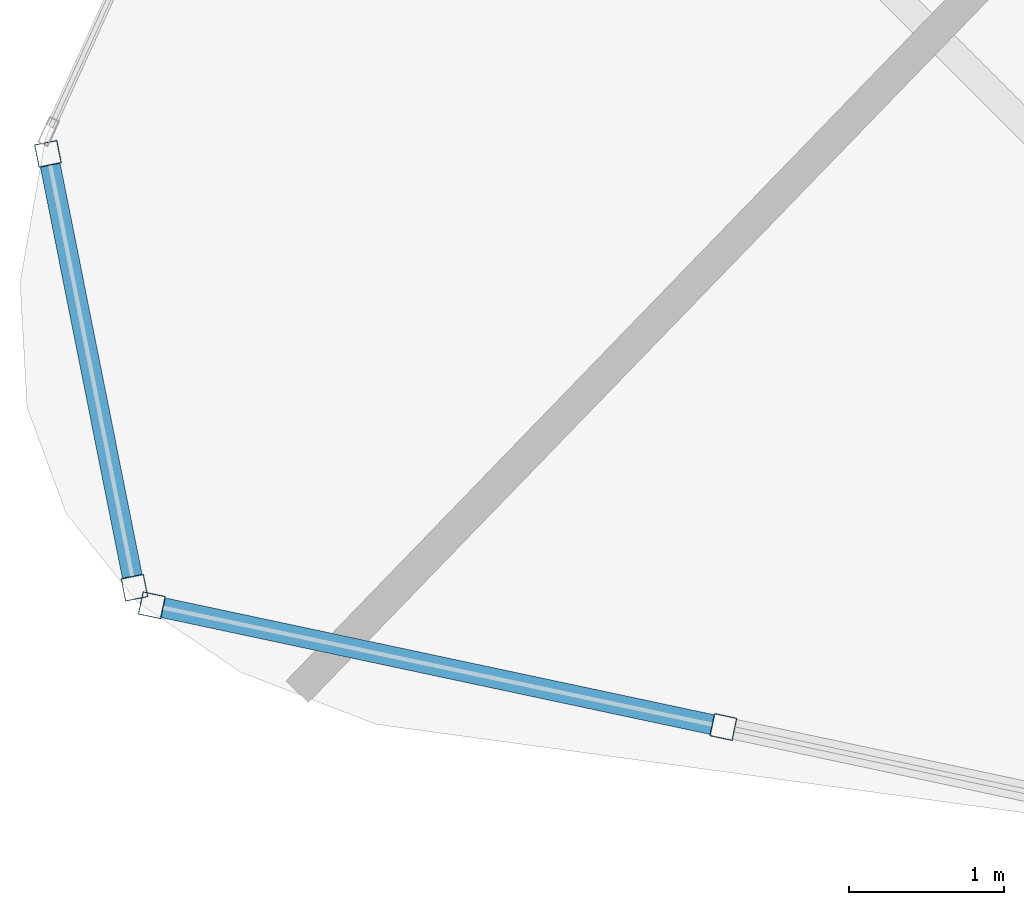
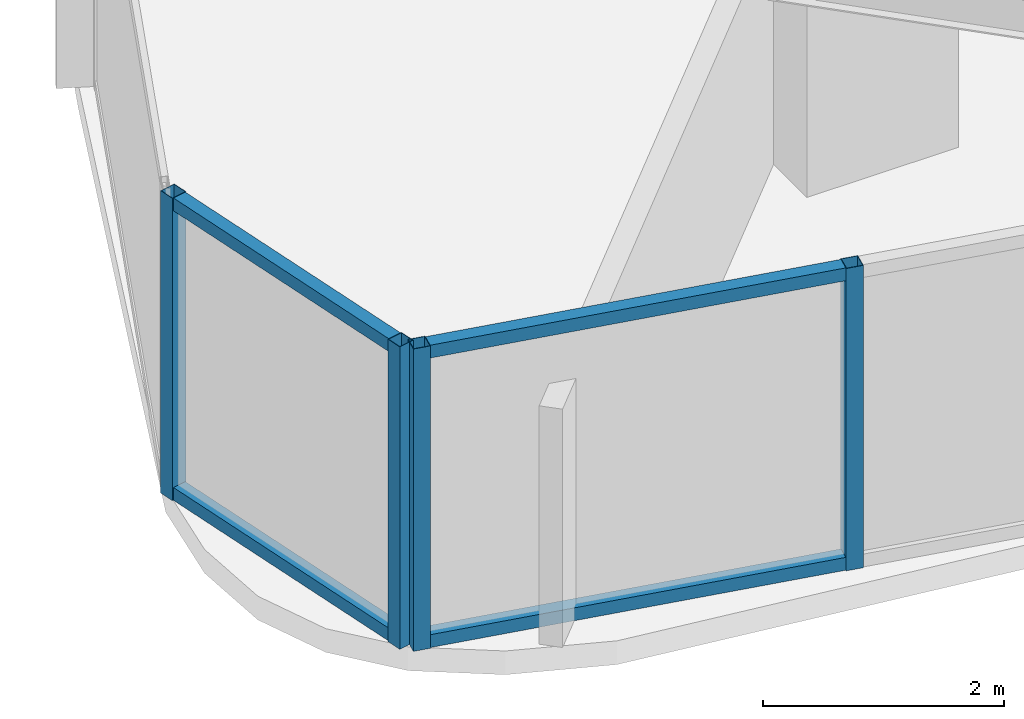
# One storey, part 2 of 31: 8 members, 2 elements without a shape of their own.
"""IFC4 building model written with IfcOpenShell, lengths in metres."""

from ifc_helpers import new_model, si_unit, direction, frame, origin, origin_2d, place, context, subcontext, project, spatial, hollow_rectangle, extrude, material, layer, layer_set, material_profile, profile_set, type_object, element, aggregate, save


model = new_model("IFC4")

# Units and contexts
model_context = context("Model", 3, precision=1e-05, world=origin(), true_north=direction((0.0, 1.0)))
body_context = subcontext(model_context, "Body", "Model", "MODEL_VIEW")
ifc_project = project(units=[si_unit("LENGTHUNIT", "METRE"), si_unit("AREAUNIT", "SQUARE_METRE"), si_unit("VOLUMEUNIT", "CUBIC_METRE"), si_unit("PLANEANGLEUNIT", "RADIAN"), si_unit("MASSUNIT", "GRAM", prefix="KILO")], contexts=[model_context])

# Site, building, storey
site_placement = place(None, origin())
site = spatial("IfcSite", under=ifc_project, at=site_placement, CompositionType="ELEMENT")
building_placement = place(site_placement, origin())
building = spatial("IfcBuilding", under=site, at=building_placement, Name="Orvanel Arch Residences", CompositionType="ELEMENT")
storey_placement = place(building_placement, frame((0.0, 0.0, 113.300048828125)))
storey = spatial("IfcBuildingStorey", under=building, at=storey_placement, Name="L31", CompositionType="ELEMENT", Elevation=113.300048828125)

# Curtain wall, members
ifc_material = material(Name="Bronze-anodised aluminium AA6063-T6", Category="aluminium")
ifc_layer = layer(ifc_material, 0.18994140625)
ifc_layer_set = layer_set([ifc_layer], Name="Bronze-anodised aluminium AA6063-T6")
curtain_wall_type = type_object("IfcCurtainWallType", Name="CW5-CRN-SYS", PredefinedType="NOTDEFINED", material=ifc_layer_set)
curtain_wall_1_placement = place(storey_placement, origin())
curtain_wall_1 = element("IfcCurtainWall", 1, at=curtain_wall_1_placement, inside=storey, type_object=curtain_wall_type, Name="L31 CW5-CRN-SYS Unitised Curtain Wall", PredefinedType="NOTDEFINED")
ifc_material_profile_1 = material_profile(ifc_material, hollow_rectangle(XDim=0.14990234375, YDim=0.14990234375, WallThickness=0.0048828125, at=origin_2d()), Name="ALU150x150x5")
ifc_profile_set_1 = profile_set([ifc_material_profile_1], Name="Bronze-anodised aluminium AA6063-T6")
member_type_1 = type_object("IfcMemberType", Name="MUL-150x150", PredefinedType="MULLION", material=ifc_profile_set_1)
member_1_placement = place(storey_placement, frame((6.78564453125, 8.54736328125, 0.0), z_axis=(0.0, 0.0, 1.0), x_axis=(0.980695620898, 0.195540530712, 0.0)))
member_1 = element("IfcMember", 2, at=member_1_placement, type_object=member_type_1, Name="CW-S5 mullion 1", PredefinedType="MULLION", context=body_context, shape_type="SweptSolid", body=[
    extrude(hollow_rectangle(XDim=0.14990234375, YDim=0.14990234375, WallThickness=0.0048828125, at=origin_2d()), origin(), (0.0, 0.0, 1.0), 3.06005859375),
])
member_2_placement = place(storey_placement, frame((7.34423828125, 5.74560546875, 0.0), z_axis=(0.0, 0.0, 1.0), x_axis=(0.980695620898, 0.195540530712, 0.0)))
member_2 = element("IfcMember", 3, at=member_2_placement, type_object=member_type_1, Name="CW-S5 mullion 2", PredefinedType="MULLION", context=body_context, shape_type="SweptSolid", body=[
    extrude(hollow_rectangle(XDim=0.14990234375, YDim=0.14990234375, WallThickness=0.0048828125, at=origin_2d()), origin(), (0.0, 0.0, 1.0), 3.06005859375),
])

curtain_wall_2_placement = place(storey_placement, origin())
curtain_wall_2 = element("IfcCurtainWall", 4, at=curtain_wall_2_placement, inside=storey, type_object=curtain_wall_type, Name="L31 CW5-CRN-SYS Unitised Curtain Wall", PredefinedType="NOTDEFINED")
member_3_placement = place(storey_placement, frame((7.456298828125, 5.63232421875, 0.0), z_axis=(0.0, 0.0, 1.0), x_axis=(0.208295433244, 0.978065955082, 0.0)))
member_3 = element("IfcMember", 5, at=member_3_placement, type_object=member_type_1, Name="CW-S5 mullion 1", PredefinedType="MULLION", context=body_context, shape_type="SweptSolid", body=[
    extrude(hollow_rectangle(XDim=0.14990234375, YDim=0.14990234375, WallThickness=0.0048828125, at=origin_2d()), origin(), (0.0, 0.0, 1.0), 3.06005859375),
])
member_4_placement = place(storey_placement, frame((11.146484375, 4.846435546875, 0.0), z_axis=(0.0, 0.0, 1.0), x_axis=(0.208295433244, 0.978065955082, 0.0)))
member_4 = element("IfcMember", 6, at=member_4_placement, type_object=member_type_1, Name="CW-S5 mullion 2", PredefinedType="MULLION", context=body_context, shape_type="SweptSolid", body=[
    extrude(hollow_rectangle(XDim=0.14990234375, YDim=0.14990234375, WallThickness=0.0048828125, at=origin_2d()), origin(), (0.0, 0.0, 1.0), 3.06005859375),
])

# Member
ifc_material_profile_2 = material_profile(ifc_material, hollow_rectangle(XDim=0.1298828125, YDim=0.1298828125, WallThickness=0.00439453125, at=origin_2d()), Name="ALU130x130x4.5")
ifc_profile_set_2 = profile_set([ifc_material_profile_2], Name="Bronze-anodised aluminium AA6063-T6")
member_type_2 = type_object("IfcMemberType", Name="TRN-130x130", PredefinedType="USERDEFINED", material=ifc_profile_set_2)
member_5_placement = place(storey_placement, frame((6.80029296875, 8.473876953125, 0.06494140625), z_axis=(0.195526412441, -0.980698435829, 0.0), x_axis=(0.980698435829, 0.195526412441, 0.0)))
member_5 = element("IfcMember", 7, at=member_5_placement, type_object=member_type_2, Name="CW-S5 transom 1.1", ObjectType="TRANSOM", PredefinedType="USERDEFINED", context=body_context, shape_type="SweptSolid", body=[
    extrude(hollow_rectangle(XDim=0.1298828125, YDim=0.1298828125, WallThickness=0.00439453125, at=origin_2d()), origin(), (0.0, 0.0, 1.0), 2.70703125),
])

member_6_placement = place(storey_placement, frame((6.80029296875, 8.473876953125, 2.994873046875), z_axis=(0.195526412441, -0.980698435829, 0.0), x_axis=(0.980698435829, 0.195526412441, 0.0)))
member_6 = element("IfcMember", 8, at=member_6_placement, type_object=member_type_2, Name="CW-S5 transom 1.2", ObjectType="TRANSOM", PredefinedType="USERDEFINED", context=body_context, shape_type="SweptSolid", body=[
    extrude(hollow_rectangle(XDim=0.1298828125, YDim=0.1298828125, WallThickness=0.00439453125, at=origin_2d()), origin(), (0.0, 0.0, 1.0), 2.70703125),
])

aggregate(curtain_wall_1, [member_1, member_2, member_5, member_6])

member_7_placement = place(storey_placement, frame((7.52978515625, 5.61669921875, 0.06494140625), z_axis=(0.978065927724, -0.208295561705, 0.0), x_axis=(0.208295561705, 0.978065927724, 0.0)))
member_7 = element("IfcMember", 9, at=member_7_placement, type_object=member_type_2, Name="CW-S5 transom 1.1", ObjectType="TRANSOM", PredefinedType="USERDEFINED", context=body_context, shape_type="SweptSolid", body=[
    extrude(hollow_rectangle(XDim=0.1298828125, YDim=0.1298828125, WallThickness=0.00439453125, at=origin_2d()), origin(), (0.0, 0.0, 1.0), 3.622802734375),
])

member_8_placement = place(storey_placement, frame((7.52978515625, 5.61669921875, 2.994873046875), z_axis=(0.978065927724, -0.208295561705, 0.0), x_axis=(0.208295561705, 0.978065927724, 0.0)))
member_8 = element("IfcMember", 10, at=member_8_placement, type_object=member_type_2, Name="CW-S5 transom 1.2", ObjectType="TRANSOM", PredefinedType="USERDEFINED", context=body_context, shape_type="SweptSolid", body=[
    extrude(hollow_rectangle(XDim=0.1298828125, YDim=0.1298828125, WallThickness=0.00439453125, at=origin_2d()), origin(), (0.0, 0.0, 1.0), 3.622802734375),
])

aggregate(curtain_wall_2, [member_3, member_4, member_7, member_8])

save(model, "model.ifc")
